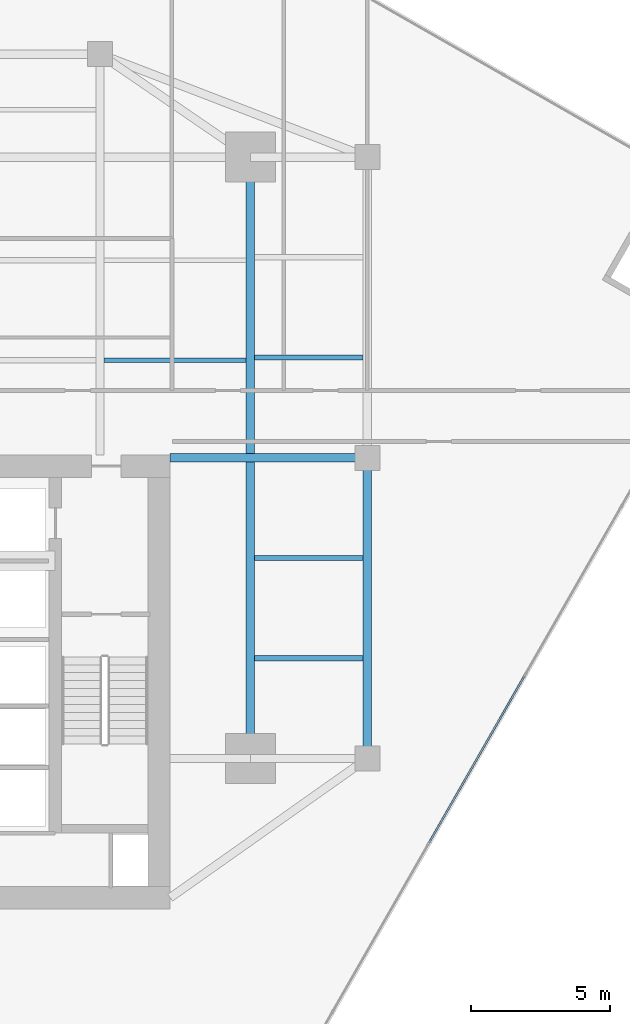
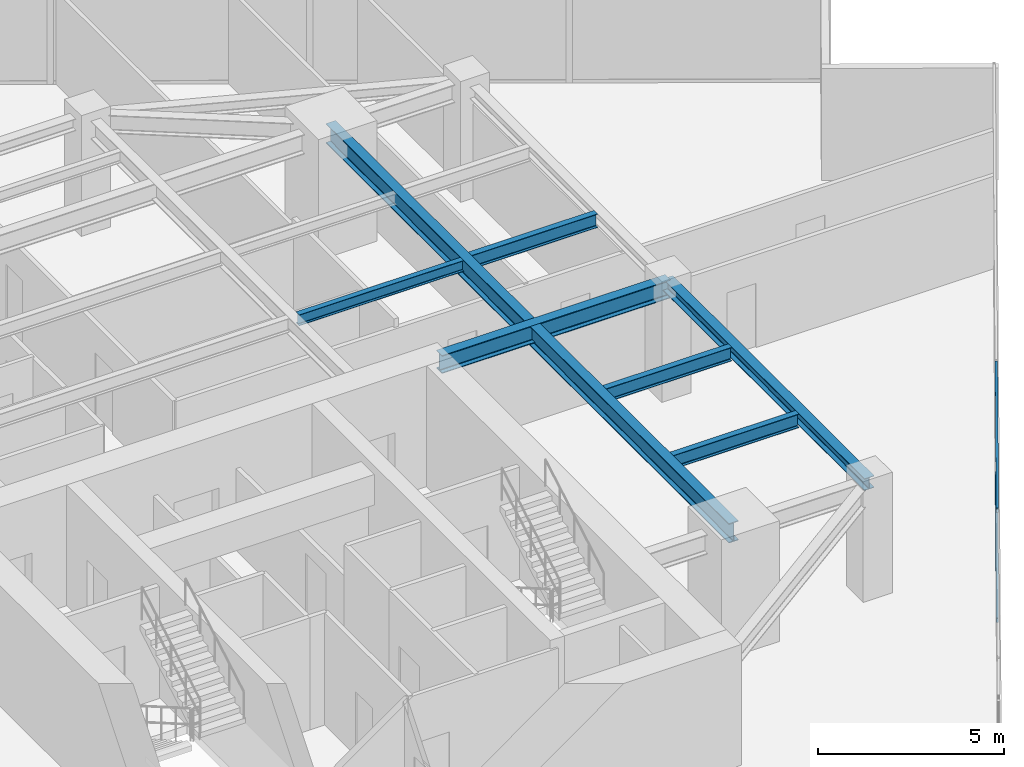
# One storey, part 10 of 24: 7 beams, 2 members, 1 element without a shape of its own.
"""IFC4 building model written with IfcOpenShell, lengths in metres."""

from ifc_helpers import new_model, si_unit, direction, frame, origin, origin_2d, place, context, subcontext, project, spatial, hollow_rectangle, i_section, extrude, source, transform, mapped, material, material_profile, profile_set, type_object, type_shapes, element, aggregate, save


model = new_model("IFC4")

# Units and contexts
model_context = context("Model", 3, precision=1e-05, world=origin(), true_north=direction((0.0, 1.0)))
body_context = subcontext(model_context, "Body", "Model", "MODEL_VIEW")
ifc_project = project(units=[si_unit("LENGTHUNIT", "METRE"), si_unit("AREAUNIT", "SQUARE_METRE"), si_unit("VOLUMEUNIT", "CUBIC_METRE"), si_unit("PLANEANGLEUNIT", "RADIAN"), si_unit("MASSUNIT", "GRAM", prefix="KILO")], contexts=[model_context])

# Site, building, storey
site_placement = place(None, origin())
site = spatial("IfcSite", under=ifc_project, at=site_placement, CompositionType="ELEMENT")
building_placement = place(site_placement, origin())
building = spatial("IfcBuilding", under=site, at=building_placement, Name="Krantzveldt Concourse Tower", CompositionType="ELEMENT")
storey_placement = place(building_placement, frame((0.0, 0.0, 162.0)))
storey = spatial("IfcBuildingStorey", under=building, at=storey_placement, Name="L39", CompositionType="ELEMENT", Elevation=162.0)

# Beams
ifc_material_1 = material(Name="Steel S355JR", Category="steel")
ifc_material_profile_1 = material_profile(ifc_material_1, i_section(OverallWidth=0.300048828125, OverallDepth=0.639892578125, WebThickness=0.013427734375, FlangeThickness=0.02587890625, FilletRadius=0.027099609375, at=origin_2d()), Name="Steel S355JR", Category="steel")
ifc_profile_set_1 = profile_set([ifc_material_profile_1], Name="Steel S355JR - HEA 650")
beam_type_1 = type_object("IfcBeamType", Name="BM-B-HEA650", PredefinedType="BEAM", material=ifc_profile_set_1)
shared_shape_1 = source(origin(), body_context, "Body", "SweptSolid", [
    extrude(i_section(OverallWidth=0.300048828125, OverallDepth=0.639892578125, WebThickness=0.013427734375, FlangeThickness=0.02587890625, FilletRadius=0.027099609375, at=origin_2d()), origin(), (0.0, 0.0, 1.0), 21.60009765625),
])
type_shapes(beam_type_1, [shared_shape_1])
beam_1_placement = place(storey_placement, frame((46.800048828125, 15.89990234375, 3.35009765625), z_axis=(0.0, 1.0, 0.0), x_axis=(-1.0, 0.0, 0.0)))
element("IfcBeam", 1, at=beam_1_placement, inside=storey, type_object=beam_type_1, Name="L39 Tower Girder BG-ME", PredefinedType="BEAM", context=body_context, shape_type="MappedRepresentation", body=[
    mapped(shared_shape_1, transform((0.0, 0.0, 0.0), x_axis=(1.0, 0.0, 0.0), y_axis=(0.0, 1.0, 0.0), z_axis=(0.0, 0.0, 1.0), scale=1.0)),
])
ifc_material_profile_2 = material_profile(ifc_material_1, i_section(OverallWidth=0.300048828125, OverallDepth=0.590087890625, WebThickness=0.012939453125, FlangeThickness=0.02490234375, FilletRadius=0.027099609375, at=origin_2d()), Name="Steel S355JR", Category="steel")
ifc_profile_set_2 = profile_set([ifc_material_profile_2], Name="Steel S355JR - HEA 600")
beam_type_2 = type_object("IfcBeamType", Name="BM-B-HEA600", PredefinedType="BEAM", material=ifc_profile_set_2)
shared_shape_2 = source(origin(), body_context, "Body", "SweptSolid", [
    extrude(i_section(OverallWidth=0.300048828125, OverallDepth=0.590087890625, WebThickness=0.012939453125, FlangeThickness=0.02490234375, FilletRadius=0.027099609375, at=origin_2d()), origin(), (0.0, 0.0, 1.0), 7.080078125),
])
type_shapes(beam_type_2, [shared_shape_2])
beam_2_placement = place(storey_placement, frame((43.919921875, 26.699951171875, 3.375), z_axis=(1.0, 0.0, 0.0), x_axis=(0.0, 1.0, 0.0)))
element("IfcBeam", 2, at=beam_2_placement, inside=storey, type_object=beam_type_2, Name="L39 Tower Girder BG-CE2", PredefinedType="BEAM", context=body_context, shape_type="MappedRepresentation", body=[
    mapped(shared_shape_2, transform((0.0, 0.0, 0.0), x_axis=(1.0, 0.0, 0.0), y_axis=(0.0, 1.0, 0.0), z_axis=(0.0, 0.0, 1.0), scale=1.0)),
])
ifc_material_profile_3 = material_profile(ifc_material_1, i_section(OverallWidth=0.300048828125, OverallDepth=0.389892578125, WebThickness=0.010986328125, FlangeThickness=0.01904296875, FilletRadius=0.027099609375, at=origin_2d()), Name="Steel S355JR", Category="steel")
ifc_profile_set_3 = profile_set([ifc_material_profile_3], Name="Steel S355JR - HEA 400")
beam_type_3 = type_object("IfcBeamType", Name="BM-SP-HEA400", PredefinedType="SPANDREL", material=ifc_profile_set_3)
shared_shape_3 = source(origin(), body_context, "Body", "SweptSolid", [
    extrude(i_section(OverallWidth=0.300048828125, OverallDepth=0.389892578125, WebThickness=0.010986328125, FlangeThickness=0.01904296875, FilletRadius=0.027099609375, at=origin_2d()), origin(), (0.0, 0.0, 1.0), 10.800048828125),
])
type_shapes(beam_type_3, [shared_shape_3])
beam_3_placement = place(storey_placement, frame((51.0, 26.699951171875, 3.47509765625), z_axis=(0.0, -1.0, 0.0), x_axis=(1.0, 0.0, 0.0)))
element("IfcBeam", 3, at=beam_3_placement, inside=storey, type_object=beam_type_3, Name="L39 Tower Girder SP-R07", PredefinedType="SPANDREL", context=body_context, shape_type="MappedRepresentation", body=[
    mapped(shared_shape_3, transform((0.0, 0.0, 0.0), x_axis=(1.0, 0.0, 0.0), y_axis=(0.0, 1.0, 0.0), z_axis=(0.0, 0.0, 1.0), scale=1.0)),
])
ifc_material_profile_4 = material_profile(ifc_material_1, i_section(OverallWidth=0.169921875, OverallDepth=0.360107421875, WebThickness=0.008056640625, FlangeThickness=0.0126953125, FilletRadius=0.01806640625, at=origin_2d()), Name="Steel S355JR", Category="steel")
ifc_profile_set_4 = profile_set([ifc_material_profile_4], Name="Steel S355JR - IPE 360")
beam_type_4 = type_object("IfcBeamType", Name="BM-J-IPE360", PredefinedType="JOIST", material=ifc_profile_set_4)
shared_shape_4 = source(origin(), body_context, "Body", "SweptSolid", [
    extrude(i_section(OverallWidth=0.169921875, OverallDepth=0.360107421875, WebThickness=0.008056640625, FlangeThickness=0.0126953125, FilletRadius=0.01806640625, at=origin_2d()), origin(), (0.0, 0.0, 1.0), 5.099853515625),
])
type_shapes(beam_type_4, [shared_shape_4])
beam_4_placement = place(storey_placement, frame((41.550048828125, 30.199951171875, 3.489990234375), z_axis=(1.0, 0.0, 0.0), x_axis=(0.0, 1.0, 0.0)))
element("IfcBeam", 4, at=beam_4_placement, inside=storey, type_object=beam_type_4, Name="L39 Secondary Floor Joist JN-E1", PredefinedType="JOIST", context=body_context, shape_type="MappedRepresentation", body=[
    mapped(shared_shape_4, transform((0.0, 0.0, 0.0), x_axis=(1.0, 0.0, 0.0), y_axis=(0.0, 1.0, 0.0), z_axis=(0.0, 0.0, 1.0), scale=1.0)),
])
ifc_material_profile_5 = material_profile(ifc_material_1, i_section(OverallWidth=0.18994140625, OverallDepth=0.449951171875, WebThickness=0.009521484375, FlangeThickness=0.0146484375, FilletRadius=0.02099609375, at=origin_2d()), Name="Steel S355JR", Category="steel")
ifc_profile_set_5 = profile_set([ifc_material_profile_5], Name="Steel S355JR - IPE 450")
beam_type_5 = type_object("IfcBeamType", Name="BM-J-IPE450", PredefinedType="JOIST", material=ifc_profile_set_5)
shared_shape_5 = source(origin(), body_context, "Body", "SweptSolid", [
    extrude(i_section(OverallWidth=0.18994140625, OverallDepth=0.449951171875, WebThickness=0.009521484375, FlangeThickness=0.0146484375, FilletRadius=0.02099609375, at=origin_2d()), origin(), (0.0, 0.0, 1.0), 3.900146484375),
])
type_shapes(beam_type_5, [shared_shape_5])
for number, where, z_axis, x_axis, name in (
    (5, (46.949951171875, 19.5, 3.445068359375), (1.0, 0.0, 0.0), (0.0, 1.0, 0.0), "L39 Secondary Floor Joist JE-1"),
    (6, (46.949951171875, 23.10009765625, 3.445068359375), (1.0, 0.0, 0.0), (0.0, 1.0, 0.0), "L39 Secondary Floor Joist JE-2"),
    (7, (46.949951171875, 30.300048828125, 3.445068359375), (1.0, 0.0, 0.0), (0.0, 1.0, 0.0), "L39 Secondary Floor Joist JE-3"),
):
    element("IfcBeam", number, at=place(storey_placement, frame(where, z_axis=z_axis, x_axis=x_axis)), inside=storey, type_object=beam_type_5, Name=name, PredefinedType="JOIST", context=body_context, shape_type="MappedRepresentation", body=[
        mapped(shared_shape_5, transform((0.0, 0.0, 0.0), x_axis=(1.0, 0.0, 0.0), y_axis=(0.0, 1.0, 0.0), z_axis=(0.0, 0.0, 1.0), scale=1.0)),
    ])

# Curtain wall, members
ifc_material_2 = material(Name="Anodised aluminium 6063-T6", Category="aluminium")
curtain_wall_type = type_object("IfcCurtainWallType", Name="CW3", PredefinedType="USERDEFINED", material=ifc_material_2)
curtain_wall_placement = place(storey_placement, origin())
curtain_wall = element("IfcCurtainWall", 8, at=curtain_wall_placement, inside=storey, type_object=curtain_wall_type, Name="CW-L39-F11", ObjectType="UNITISED CURTAIN WALL", PredefinedType="USERDEFINED")
ifc_material_profile_6 = material_profile(ifc_material_2, hollow_rectangle(XDim=0.070068359375, YDim=0.139892578125, WallThickness=0.0048828125, at=origin_2d()), Name="Anodised aluminium 6063-T6", Category="aluminium")
ifc_profile_set_6 = profile_set([ifc_material_profile_6], Name="Anodised aluminium 6063-T6 - ALU-TRAN 140x70x5")
member_type = type_object("IfcMemberType", Name="CW-TRN-150", PredefinedType="USERDEFINED", material=ifc_profile_set_6)
shared_shape_6 = source(origin(), body_context, "Body", "SweptSolid", [
    extrude(hollow_rectangle(XDim=0.070068359375, YDim=0.139892578125, WallThickness=0.0048828125, at=origin_2d()), origin(), (0.0, 0.0, 1.0), 6.89013671875),
])
type_shapes(member_type, [shared_shape_6])
member_1_placement = place(storey_placement, frame((53.225830078125, 12.886474609375, 0.034912109375), z_axis=(0.496215255443, 0.868199527911, 0.0), x_axis=(-0.868199527911, 0.496215255443, 0.0)))
member_1 = element("IfcMember", 9, at=member_1_placement, type_object=member_type, Name="CW-Z34 transom 3.1", ObjectType="TRANSOM", PredefinedType="USERDEFINED", context=body_context, shape_type="MappedRepresentation", body=[
    mapped(shared_shape_6, transform((0.0, 0.0, 0.0), x_axis=(1.0, 0.0, 0.0), y_axis=(0.0, 1.0, 0.0), z_axis=(0.0, 0.0, 1.0), scale=1.0)),
])
member_2_placement = place(storey_placement, frame((53.225830078125, 12.886474609375, 3.635009765625), z_axis=(0.496215255443, 0.868199527911, 0.0), x_axis=(-0.868199527911, 0.496215255443, 0.0)))
member_2 = element("IfcMember", 10, at=member_2_placement, type_object=member_type, Name="CW-Z34 transom 3.2", ObjectType="TRANSOM", PredefinedType="USERDEFINED", context=body_context, shape_type="MappedRepresentation", body=[
    mapped(shared_shape_6, transform((0.0, 0.0, 0.0), x_axis=(1.0, 0.0, 0.0), y_axis=(0.0, 1.0, 0.0), z_axis=(0.0, 0.0, 1.0), scale=1.0)),
])
aggregate(curtain_wall, [member_1, member_2])

save(model, "model.ifc")
